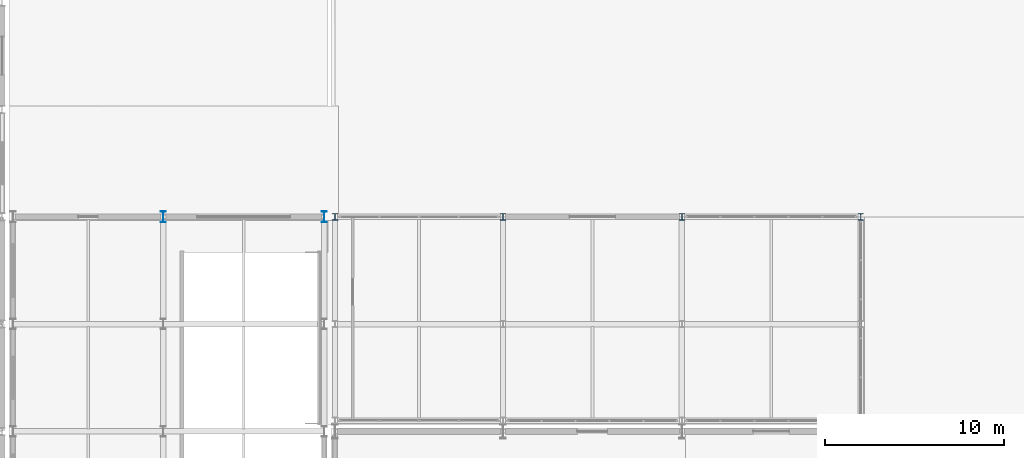
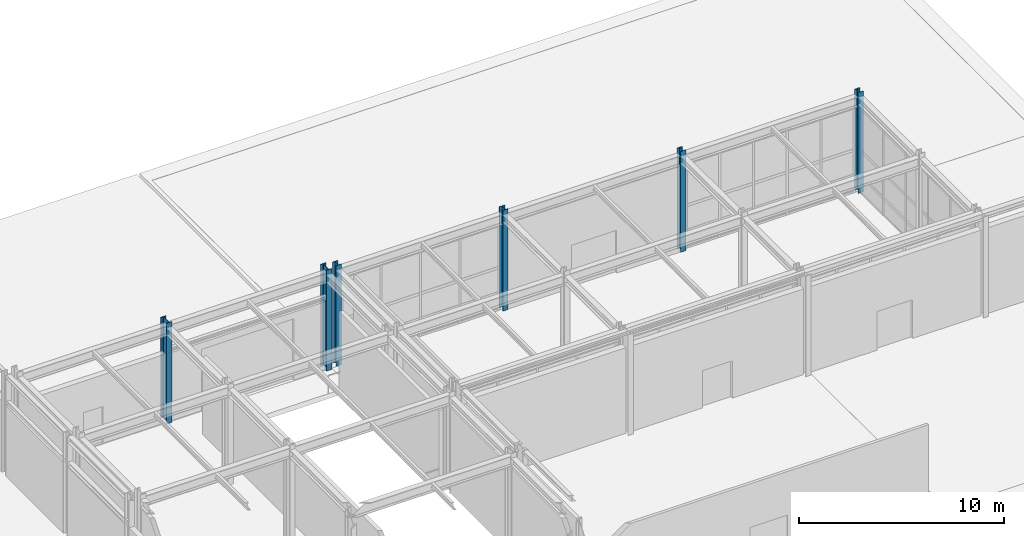
# One storey, part 19 of 146: 6 columns.
"""IFC4 building model written with IfcOpenShell, lengths in metres."""

from ifc_helpers import new_model, si_unit, direction, frame, origin, origin_2d, place, context, subcontext, project, spatial, i_section, extrude, material, material_profile, profile_set, type_object, element, save


model = new_model("IFC4")

# Units and contexts
model_context = context("Model", 3, precision=1e-05, world=origin(), true_north=direction((0.0, 1.0)))
body_context = subcontext(model_context, "Body", "Model", "MODEL_VIEW")
ifc_project = project(units=[si_unit("LENGTHUNIT", "METRE"), si_unit("AREAUNIT", "SQUARE_METRE"), si_unit("VOLUMEUNIT", "CUBIC_METRE"), si_unit("PLANEANGLEUNIT", "RADIAN"), si_unit("MASSUNIT", "GRAM", prefix="KILO")], contexts=[model_context])

# Site, building, storey
site_placement = place(None, origin())
site = spatial("IfcSite", under=ifc_project, at=site_placement, CompositionType="ELEMENT")
building_placement = place(site_placement, origin())
building = spatial("IfcBuilding", under=site, at=building_placement, Name="Kaldris Quays Convention Centre", CompositionType="ELEMENT")
storey_placement = place(building_placement, origin())
storey = spatial("IfcBuildingStorey", under=building, at=storey_placement, Name="L00", CompositionType="ELEMENT", Elevation=0.0)

# Columns
ifc_material = material(Name="Steel S355J2", Category="steel")
ifc_material_profile_1 = material_profile(ifc_material, i_section(OverallWidth=0.300048828125, OverallDepth=0.60009765625, WebThickness=0.015380859375, FlangeThickness=0.030029296875, FilletRadius=0.027099609375, at=origin_2d()), Name="HEB 600")
ifc_profile_set_1 = profile_set([ifc_material_profile_1], Name="Steel S355J2")
column_type_1 = type_object("IfcColumnType", Name="STRUCTURAL COLUMN CL06", PredefinedType="COLUMN", material=ifc_profile_set_1)
for number, where, z_axis, x_axis, name in (
    (1, (155.0, 116.0, 0.0), (0.0, 0.0, 1.0), (1.0, 0.0, 0.0), "L00 V4 Column CL06 (155.00, 116.00)"),
    (2, (164.0, 116.0, 0.0), (0.0, 0.0, 1.0), (1.0, 0.0, 0.0), "L00 V4 Column CL06 (164.00, 116.00)"),
):
    element("IfcColumn", number, at=place(storey_placement, frame(where, z_axis=z_axis, x_axis=x_axis)), inside=storey, type_object=column_type_1, Name=name, PredefinedType="COLUMN", context=body_context, shape_type="SweptSolid", body=[
        extrude(i_section(OverallWidth=0.300048828125, OverallDepth=0.60009765625, WebThickness=0.015380859375, FlangeThickness=0.030029296875, FilletRadius=0.027099609375, at=origin_2d()), origin(), (0.0, 0.0, 1.0), 6.0),
    ])
ifc_material_profile_2 = material_profile(ifc_material, i_section(OverallWidth=0.300048828125, OverallDepth=0.360107421875, WebThickness=0.012451171875, FlangeThickness=0.0224609375, FilletRadius=0.027099609375, at=origin_2d()), Name="HEB 360")
ifc_profile_set_2 = profile_set([ifc_material_profile_2], Name="Steel S355J2")
column_type_2 = type_object("IfcColumnType", Name="STRUCTURAL COLUMN CL10", PredefinedType="COLUMN", material=ifc_profile_set_2)
for number, where, z_axis, x_axis, name in (
    (3, (164.60009765625, 116.0, 0.0), (0.0, 0.0, 1.0), (1.0, 0.0, 0.0), "L00 V4 Column CL10 (164.60, 116.00)"),
    (4, (174.0, 116.0, 0.0), (0.0, 0.0, 1.0), (1.0, 0.0, 0.0), "L00 V4 Column CL10 (174.00, 116.00)"),
    (5, (184.0, 116.0, 0.0), (0.0, 0.0, 1.0), (1.0, 0.0, 0.0), "L00 V4 Column CL10 (184.00, 116.00)"),
    (6, (194.0, 116.0, 0.0), (0.0, 0.0, 1.0), (1.0, 0.0, 0.0), "L00 V4 Column CL10 (194.00, 116.00)"),
):
    element("IfcColumn", number, at=place(storey_placement, frame(where, z_axis=z_axis, x_axis=x_axis)), inside=storey, type_object=column_type_2, Name=name, PredefinedType="COLUMN", context=body_context, shape_type="SweptSolid", body=[
        extrude(i_section(OverallWidth=0.300048828125, OverallDepth=0.360107421875, WebThickness=0.012451171875, FlangeThickness=0.0224609375, FilletRadius=0.027099609375, at=origin_2d()), origin(), (0.0, 0.0, 1.0), 6.0),
    ])

save(model, "model.ifc")
